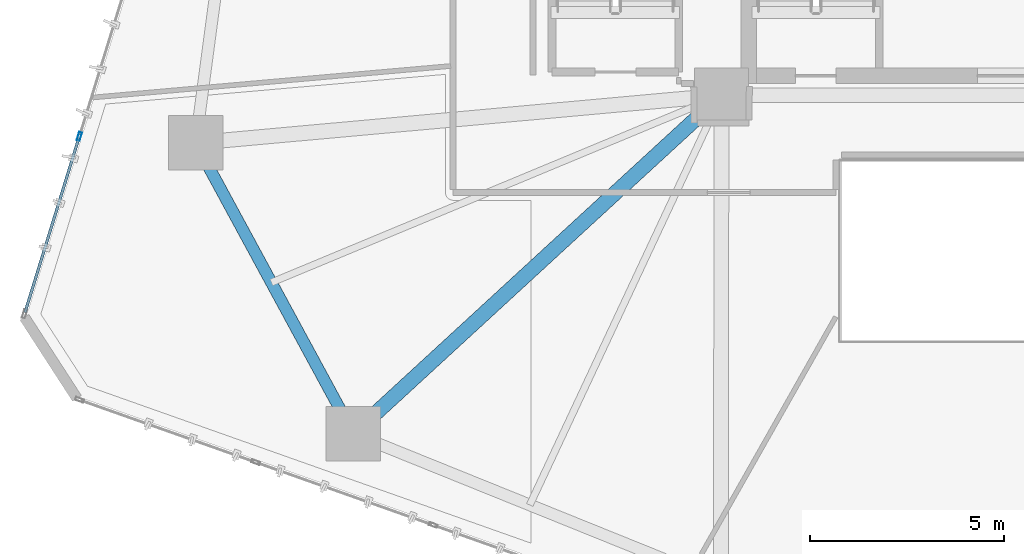
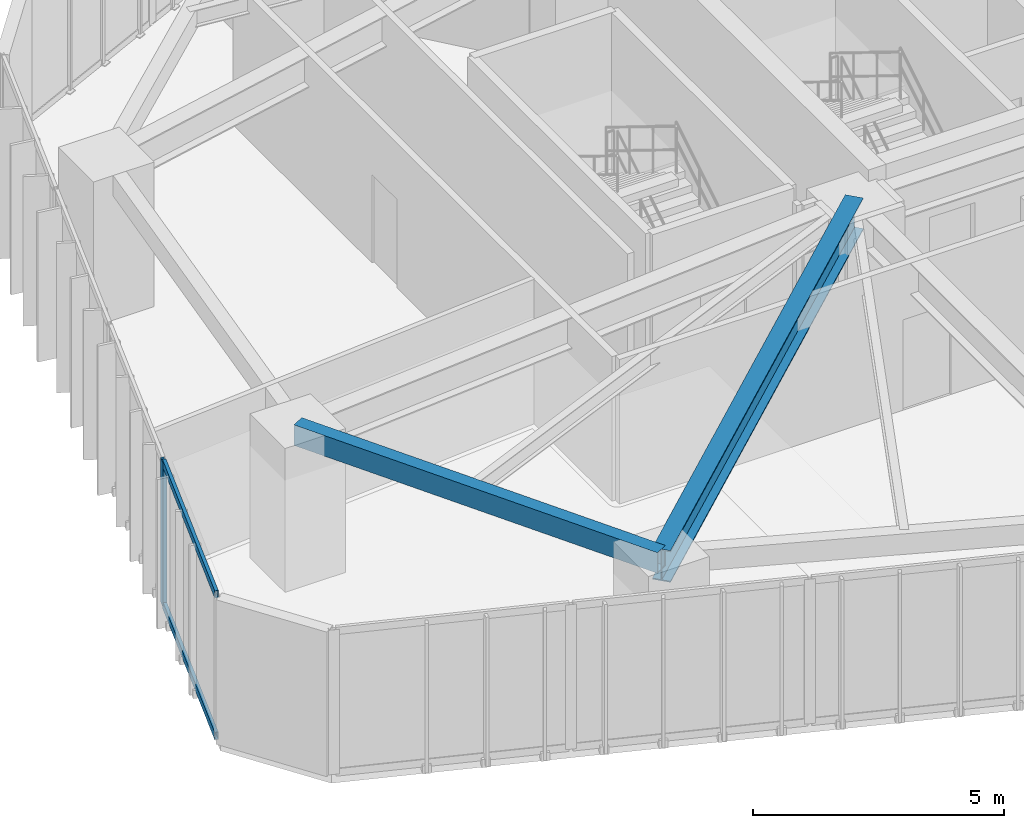
# One storey, part 3 of 24: 3 members, 2 beams, 1 element without a shape of its own.
"""IFC4 building model written with IfcOpenShell, lengths in metres."""

from ifc_helpers import new_model, si_unit, direction, frame, origin, origin_2d, place, context, subcontext, project, spatial, hollow_rectangle, i_section, extrude, source, transform, mapped, material, layer, layer_set, material_profile, profile_set, type_object, type_shapes, element, aggregate, save


model = new_model("IFC4")

# Units and contexts
model_context = context("Model", 3, precision=1e-05, world=origin(), true_north=direction((0.0, 1.0)))
body_context = subcontext(model_context, "Body", "Model", "MODEL_VIEW")
ifc_project = project(units=[si_unit("LENGTHUNIT", "METRE"), si_unit("AREAUNIT", "SQUARE_METRE"), si_unit("VOLUMEUNIT", "CUBIC_METRE"), si_unit("PLANEANGLEUNIT", "RADIAN"), si_unit("MASSUNIT", "GRAM", prefix="KILO")], contexts=[model_context])

# Site, building, storey
site_placement = place(None, origin())
site = spatial("IfcSite", under=ifc_project, at=site_placement, CompositionType="ELEMENT")
building_placement = place(site_placement, origin())
building = spatial("IfcBuilding", under=site, at=building_placement, Name="Talar Marvaseh", CompositionType="ELEMENT")
storey_placement = place(building_placement, frame((0.0, 0.0, 31.60009765625)))
storey = spatial("IfcBuildingStorey", under=building, at=storey_placement, Name="L07", CompositionType="ELEMENT", Elevation=31.60009765625)

# Beams
ifc_material_1 = material(Name="Steel S355", Category="steel")
ifc_material_profile_1 = material_profile(ifc_material_1, hollow_rectangle(XDim=0.300048828125, YDim=0.5, WallThickness=0.02001953125, at=origin_2d()), Name="RHS500x300x20")
ifc_profile_set_1 = profile_set([ifc_material_profile_1], Name="Steel S355")
beam_type_1 = type_object("IfcBeamType", Name="Zone 1 Perimeter Spandrel Beam RHS500x300x20", PredefinedType="SPANDREL", material=ifc_profile_set_1)
beam_1_placement = place(storey_placement, frame((9.23193359375, 16.7958984375, 3.27001953125), z_axis=(-0.476758155578, 0.879034505062, 0.0), x_axis=(-0.879034505062, -0.476758155578, 0.0)))
element("IfcBeam", 1, at=beam_1_placement, inside=storey, type_object=beam_type_1, Name="L07 Zone 1 Perimeter Spandrel Beam RHS500x300x20", PredefinedType="SPANDREL", context=body_context, shape_type="SweptSolid", body=[
    extrude(hollow_rectangle(XDim=0.300048828125, YDim=0.5, WallThickness=0.02001953125, at=origin_2d()), origin(), (0.0, 0.0, 1.0), 8.50927734375),
])
ifc_material_profile_2 = material_profile(ifc_material_1, i_section(OverallWidth=0.381103515625, OverallDepth=0.77294921875, WebThickness=0.0166015625, FlangeThickness=0.027099609375, at=origin_2d()), Name="W760x257")
ifc_profile_set_2 = profile_set([ifc_material_profile_2], Name="Steel S355")
beam_type_2 = type_object("IfcBeamType", Name="Zone 1 Radial Floor Girder W760x257", PredefinedType="BEAM", material=ifc_profile_set_2)
beam_2_placement = place(storey_placement, frame((9.23193359375, 16.7958984375, 3.13330078125), z_axis=(0.736181804049, 0.676783829142, 0.0), x_axis=(-0.676783829142, 0.736181804049, 0.0)))
element("IfcBeam", 2, at=beam_2_placement, inside=storey, type_object=beam_type_2, Name="L07 Zone 1 Radial Floor Girder W760x257", PredefinedType="BEAM", context=body_context, shape_type="SweptSolid", body=[
    extrude(i_section(OverallWidth=0.381103515625, OverallDepth=0.77294921875, WebThickness=0.0166015625, FlangeThickness=0.027099609375, at=origin_2d()), origin(), (0.0, 0.0, 1.0), 12.861083984375),
])

# Curtain wall, members
ifc_material_2 = material(Name="Architectural Aluminium", Category="aluminium")
ifc_layer = layer(ifc_material_2, 0.219970703125)
ifc_layer_set = layer_set([ifc_layer], Name="Architectural Aluminium")
curtain_wall_type = type_object("IfcCurtainWallType", Name="Unitised Low-E Museum Curtain Wall Z1", PredefinedType="NOTDEFINED", material=ifc_layer_set)
curtain_wall_placement = place(storey_placement, origin())
curtain_wall = element("IfcCurtainWall", 3, at=curtain_wall_placement, inside=storey, type_object=curtain_wall_type, Name="L07 Unitised Low-E Museum Curtain Wall Z1", PredefinedType="NOTDEFINED")
ifc_material_profile_3 = material_profile(ifc_material_2, hollow_rectangle(XDim=0.080078125, YDim=0.219970703125, WallThickness=0.0048828125, at=origin_2d()), Name="RHS220x80x5")
ifc_profile_set_3 = profile_set([ifc_material_profile_3], Name="Architectural Aluminium")
member_type_1 = type_object("IfcMemberType", Name="Unitised Curtain Wall Heavy Mullion RHS220x80x5", PredefinedType="MULLION", material=ifc_profile_set_3)
shared_shape_1 = source(origin(), body_context, "Body", "SweptSolid", [
    extrude(hollow_rectangle(XDim=0.080078125, YDim=0.219970703125, WallThickness=0.0048828125, at=origin_2d()), origin(), (0.0, 0.0, 1.0), 3.52001953125),
])
type_shapes(member_type_1, [shared_shape_1])
member_1_placement = place(storey_placement, frame((2.18408203125, 24.4423828125, 0.0), z_axis=(0.0, 0.0, 1.0), x_axis=(-0.955516473068, 0.294937738677, 0.0)))
member_1 = element("IfcMember", 4, at=member_1_placement, type_object=member_type_1, Name="CW-Z1 mullion 2", PredefinedType="MULLION", context=body_context, shape_type="MappedRepresentation", body=[
    mapped(shared_shape_1, transform((0.0, 0.0, 0.0), x_axis=(1.0, 0.0, 0.0), y_axis=(0.0, 1.0, 0.0), z_axis=(0.0, 0.0, 1.0), scale=1.0)),
])
ifc_material_profile_4 = material_profile(ifc_material_2, hollow_rectangle(XDim=0.074951171875, YDim=0.179931640625, WallThickness=0.0048828125, at=origin_2d()), Name="RHS180x75x5")
ifc_profile_set_4 = profile_set([ifc_material_profile_4], Name="Architectural Aluminium")
member_type_2 = type_object("IfcMemberType", Name="Unitised Curtain Wall Transom RHS180x75x5", PredefinedType="USERDEFINED", material=ifc_profile_set_4)
shared_shape_2 = source(origin(), body_context, "Body", "SweptSolid", [
    extrude(hollow_rectangle(XDim=0.074951171875, YDim=0.179931640625, WallThickness=0.0048828125, at=origin_2d()), origin(), (0.0, 0.0, 1.0), 4.69677734375),
])
type_shapes(member_type_2, [shared_shape_2])
member_2_placement = place(storey_placement, frame((0.787109375, 19.91650390625, 0.037353515625), z_axis=(0.294940468263, 0.955515630527, 0.0), x_axis=(-0.955515630527, 0.294940468263, 0.0)))
member_2 = element("IfcMember", 5, at=member_2_placement, type_object=member_type_2, Name="CW-Z1 transom 1.1", ObjectType="TRANSOM", PredefinedType="USERDEFINED", context=body_context, shape_type="MappedRepresentation", body=[
    mapped(shared_shape_2, transform((0.0, 0.0, 0.0), x_axis=(1.0, 0.0, 0.0), y_axis=(0.0, 1.0, 0.0), z_axis=(0.0, 0.0, 1.0), scale=1.0)),
])
member_3_placement = place(storey_placement, frame((0.787109375, 19.91650390625, 3.482421875), z_axis=(0.294940468263, 0.955515630527, 0.0), x_axis=(-0.955515630527, 0.294940468263, 0.0)))
member_3 = element("IfcMember", 6, at=member_3_placement, type_object=member_type_2, Name="CW-Z1 transom 1.2", ObjectType="TRANSOM", PredefinedType="USERDEFINED", context=body_context, shape_type="MappedRepresentation", body=[
    mapped(shared_shape_2, transform((0.0, 0.0, 0.0), x_axis=(1.0, 0.0, 0.0), y_axis=(0.0, 1.0, 0.0), z_axis=(0.0, 0.0, 1.0), scale=1.0)),
])
aggregate(curtain_wall, [member_1, member_2, member_3])

save(model, "model.ifc")
